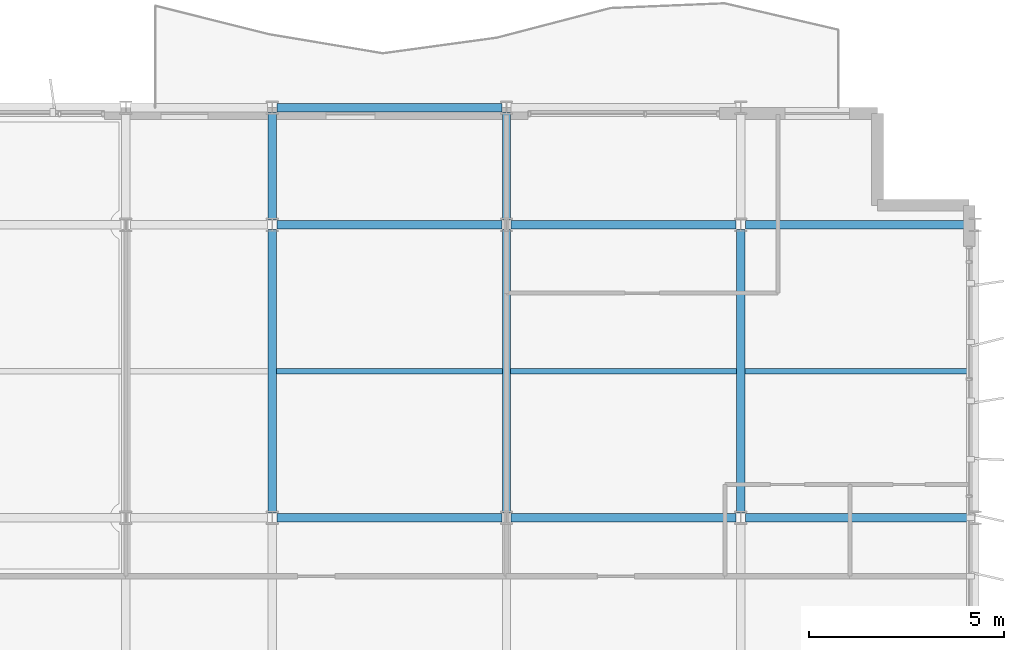
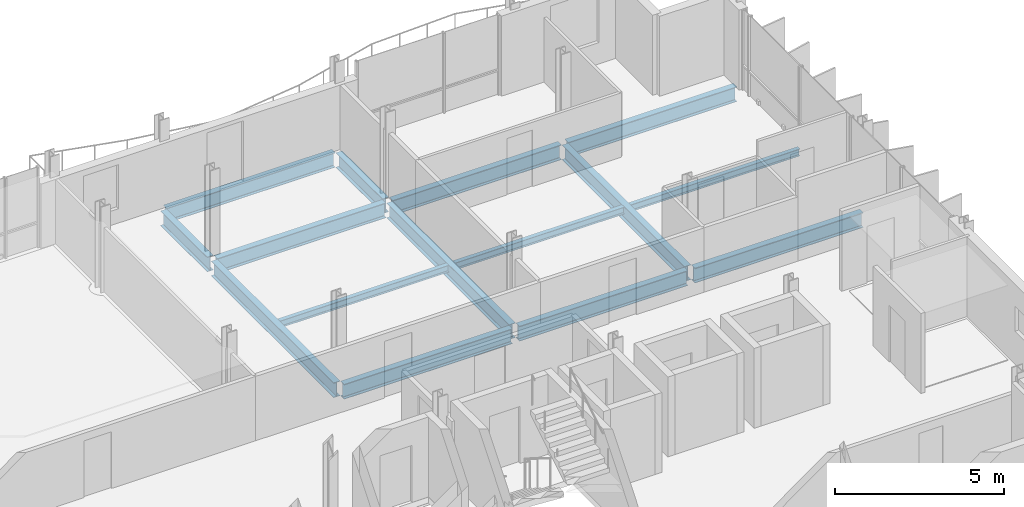
# One storey, part 3 of 12: 15 beams.
"""IFC4 building model written with IfcOpenShell, lengths in metres."""

from ifc_helpers import new_model, si_unit, direction, frame, origin, origin_2d, place, context, subcontext, project, spatial, i_section, extrude, material, material_profile, profile_set, type_object, element, save


model = new_model("IFC4")

# Units and contexts
model_context = context("Model", 3, precision=1e-05, world=origin(), true_north=direction((0.0, 1.0)))
body_context = subcontext(model_context, "Body", "Model", "MODEL_VIEW")
ifc_project = project(units=[si_unit("LENGTHUNIT", "METRE"), si_unit("AREAUNIT", "SQUARE_METRE"), si_unit("VOLUMEUNIT", "CUBIC_METRE"), si_unit("PLANEANGLEUNIT", "RADIAN"), si_unit("MASSUNIT", "GRAM", prefix="KILO")], contexts=[model_context])

# Site, building, storey
site_placement = place(None, origin())
site = spatial("IfcSite", under=ifc_project, at=site_placement, CompositionType="ELEMENT")
building_placement = place(site_placement, origin())
building = spatial("IfcBuilding", under=site, at=building_placement, Name="Brevholm Reach", CompositionType="ELEMENT")
storey_placement = place(building_placement, frame((0.0, 0.0, 230.39990234375)))
storey = spatial("IfcBuildingStorey", under=building, at=storey_placement, Name="L70", CompositionType="ELEMENT", Elevation=230.39990234375)

# Beams
ifc_material_1 = material(Name="Structural Steel S355J2", Category="steel")
ifc_material_profile_1 = material_profile(ifc_material_1, i_section(OverallWidth=0.14599609375, OverallDepth=0.25146484375, WebThickness=0.006103515625, FlangeThickness=0.008544921875, FilletRadius=0.007568359375, at=origin_2d()), Name="UKB 254x146x31")
ifc_profile_set_1 = profile_set([ifc_material_profile_1], Name="Structural Steel S355J2")
beam_type_1 = type_object("IfcBeamType", Name="BM-B254", PredefinedType="BEAM", material=ifc_profile_set_1)
for number, where, z_axis, x_axis, name in (
    (1, (42.10546875, 19.75, -0.335693359375), (1.0, 0.0, 0.0), (0.0, 1.0, 0.0), "L70 Composite Secondary Floor Beam"),
    (2, (48.10546875, 19.75, -0.335693359375), (1.0, 0.0, 0.0), (0.0, 1.0, 0.0), "L70 Composite Secondary Floor Beam"),
):
    element("IfcBeam", number, at=place(storey_placement, frame(where, z_axis=z_axis, x_axis=x_axis)), inside=storey, type_object=beam_type_1, Name=name, PredefinedType="BEAM", context=body_context, shape_type="SweptSolid", body=[
        extrude(i_section(OverallWidth=0.14599609375, OverallDepth=0.25146484375, WebThickness=0.006103515625, FlangeThickness=0.008544921875, FilletRadius=0.007568359375, at=origin_2d()), origin(), (0.0, 0.0, 1.0), 5.7890625),
    ])
beam_1_placement = place(storey_placement, frame((54.10546875, 19.75, -0.335693359375), z_axis=(1.0, 0.0, 0.0), x_axis=(0.0, 1.0, 0.0)))
element("IfcBeam", 3, at=beam_1_placement, inside=storey, type_object=beam_type_1, Name="L70 Composite Secondary Floor Beam", PredefinedType="BEAM", context=body_context, shape_type="SweptSolid", body=[
    extrude(i_section(OverallWidth=0.14599609375, OverallDepth=0.25146484375, WebThickness=0.006103515625, FlangeThickness=0.008544921875, FilletRadius=0.007568359375, at=origin_2d()), origin(), (0.0, 0.0, 1.0), 5.789794921875),
])
ifc_material_2 = material(Name="Structural Steel S355J2", Category="steel")
ifc_material_profile_2 = material_profile(ifc_material_2, i_section(OverallWidth=0.209228515625, OverallDepth=0.533203125, WebThickness=0.010009765625, FlangeThickness=0.015625, FilletRadius=0.0126953125, at=origin_2d()), Name="UKB 533x210x92")
ifc_profile_set_2 = profile_set([ifc_material_profile_2], Name="Structural Steel S355J2")
beam_type_2 = type_object("IfcBeamType", Name="BM-SP533", PredefinedType="SPANDREL", material=ifc_profile_set_2)
beam_2_placement = place(storey_placement, frame((42.1201171875, 26.5, -0.4765625), z_axis=(1.0, 0.0, 0.0), x_axis=(0.0, 1.0, 0.0)))
element("IfcBeam", 4, at=beam_2_placement, inside=storey, type_object=beam_type_2, Name="L70 SP-02 Framing Beam", PredefinedType="SPANDREL", context=body_context, shape_type="SweptSolid", body=[
    extrude(i_section(OverallWidth=0.209228515625, OverallDepth=0.533203125, WebThickness=0.010009765625, FlangeThickness=0.015625, FilletRadius=0.0126953125, at=origin_2d()), origin(), (0.0, 0.0, 1.0), 5.759765625),
])
ifc_material_3 = material(Name="Structural Steel S355J2", Category="steel")
ifc_material_profile_3 = material_profile(ifc_material_3, i_section(OverallWidth=0.210693359375, OverallDepth=0.53955078125, WebThickness=0.01171875, FlangeThickness=0.018798828125, FilletRadius=0.0126953125, at=origin_2d()), Name="UKB 533x210x109")
ifc_profile_set_3 = profile_set([ifc_material_profile_3], Name="Structural Steel S355J2")
beam_type_3 = type_object("IfcBeamType", Name="BM-SP539", PredefinedType="SPANDREL", material=ifc_profile_set_3)
for number, where, z_axis, x_axis, name in (
    (5, (42.1201171875, 16.0, -0.479736328125), (1.0, 0.0, 0.0), (0.0, 1.0, 0.0), "L70 SP-01B Framing Beam"),
    (6, (48.1201171875, 16.0, -0.479736328125), (1.0, 0.0, 0.0), (0.0, 1.0, 0.0), "L70 SP-01B Framing Beam"),
    (7, (54.1201171875, 16.0, -0.479736328125), (1.0, 0.0, 0.0), (0.0, 1.0, 0.0), "L70 SP-01B Framing Beam"),
    (8, (42.1201171875, 23.5, -0.479736328125), (1.0, 0.0, 0.0), (0.0, 1.0, 0.0), "L70 SP-01B Framing Beam"),
    (9, (48.1201171875, 23.5, -0.479736328125), (1.0, 0.0, 0.0), (0.0, 1.0, 0.0), "L70 SP-01B Framing Beam"),
    (10, (54.1201171875, 23.5, -0.479736328125), (1.0, 0.0, 0.0), (0.0, 1.0, 0.0), "L70 SP-01B Framing Beam"),
):
    element("IfcBeam", number, at=place(storey_placement, frame(where, z_axis=z_axis, x_axis=x_axis)), inside=storey, type_object=beam_type_3, Name=name, PredefinedType="SPANDREL", context=body_context, shape_type="SweptSolid", body=[
        extrude(i_section(OverallWidth=0.210693359375, OverallDepth=0.53955078125, WebThickness=0.01171875, FlangeThickness=0.018798828125, FilletRadius=0.0126953125, at=origin_2d()), origin(), (0.0, 0.0, 1.0), 5.759765625),
    ])
beam_3_placement = place(storey_placement, frame((42.0, 16.1201171875, -0.479736328125), z_axis=(0.0, 1.0, 0.0), x_axis=(-1.0, 0.0, 0.0)))
element("IfcBeam", 11, at=beam_3_placement, inside=storey, type_object=beam_type_3, Name="L70 SP-01B Framing Beam", PredefinedType="SPANDREL", context=body_context, shape_type="SweptSolid", body=[
    extrude(i_section(OverallWidth=0.210693359375, OverallDepth=0.53955078125, WebThickness=0.01171875, FlangeThickness=0.018798828125, FilletRadius=0.0126953125, at=origin_2d()), origin(), (0.0, 0.0, 1.0), 7.259765625),
])
beam_4_placement = place(storey_placement, frame((42.0, 23.6201171875, -0.479736328125), z_axis=(0.0, 1.0, 0.0), x_axis=(-1.0, 0.0, 0.0)))
element("IfcBeam", 12, at=beam_4_placement, inside=storey, type_object=beam_type_3, Name="L70 SP-01B Framing Beam", PredefinedType="SPANDREL", context=body_context, shape_type="SweptSolid", body=[
    extrude(i_section(OverallWidth=0.210693359375, OverallDepth=0.53955078125, WebThickness=0.01171875, FlangeThickness=0.018798828125, FilletRadius=0.0126953125, at=origin_2d()), origin(), (0.0, 0.0, 1.0), 2.759765625),
])
beam_5_placement = place(storey_placement, frame((48.0, 16.1201171875, -0.479736328125), z_axis=(0.0, 1.0, 0.0), x_axis=(-1.0, 0.0, 0.0)))
element("IfcBeam", 13, at=beam_5_placement, inside=storey, type_object=beam_type_3, Name="L70 SP-01B Framing Beam", PredefinedType="SPANDREL", context=body_context, shape_type="SweptSolid", body=[
    extrude(i_section(OverallWidth=0.210693359375, OverallDepth=0.53955078125, WebThickness=0.01171875, FlangeThickness=0.018798828125, FilletRadius=0.0126953125, at=origin_2d()), origin(), (0.0, 0.0, 1.0), 7.259765625),
])
beam_6_placement = place(storey_placement, frame((48.0, 23.6201171875, -0.479736328125), z_axis=(0.0, 1.0, 0.0), x_axis=(-1.0, 0.0, 0.0)))
element("IfcBeam", 14, at=beam_6_placement, inside=storey, type_object=beam_type_3, Name="L70 SP-01B Framing Beam", PredefinedType="SPANDREL", context=body_context, shape_type="SweptSolid", body=[
    extrude(i_section(OverallWidth=0.210693359375, OverallDepth=0.53955078125, WebThickness=0.01171875, FlangeThickness=0.018798828125, FilletRadius=0.0126953125, at=origin_2d()), origin(), (0.0, 0.0, 1.0), 2.759765625),
])
beam_7_placement = place(storey_placement, frame((54.0, 16.1201171875, -0.479736328125), z_axis=(0.0, 1.0, 0.0), x_axis=(-1.0, 0.0, 0.0)))
element("IfcBeam", 15, at=beam_7_placement, inside=storey, type_object=beam_type_3, Name="L70 SP-01B Framing Beam", PredefinedType="SPANDREL", context=body_context, shape_type="SweptSolid", body=[
    extrude(i_section(OverallWidth=0.210693359375, OverallDepth=0.53955078125, WebThickness=0.01171875, FlangeThickness=0.018798828125, FilletRadius=0.0126953125, at=origin_2d()), origin(), (0.0, 0.0, 1.0), 7.259765625),
])

save(model, "model.ifc")
